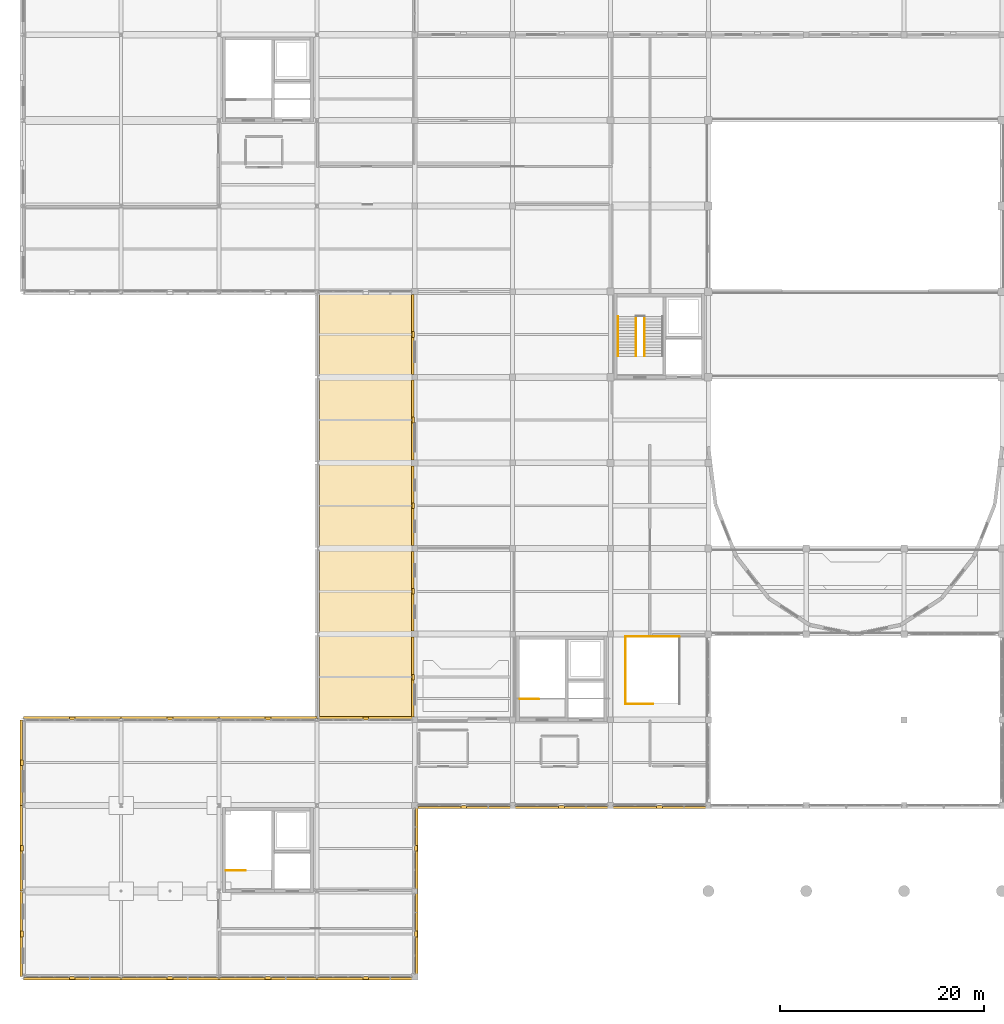
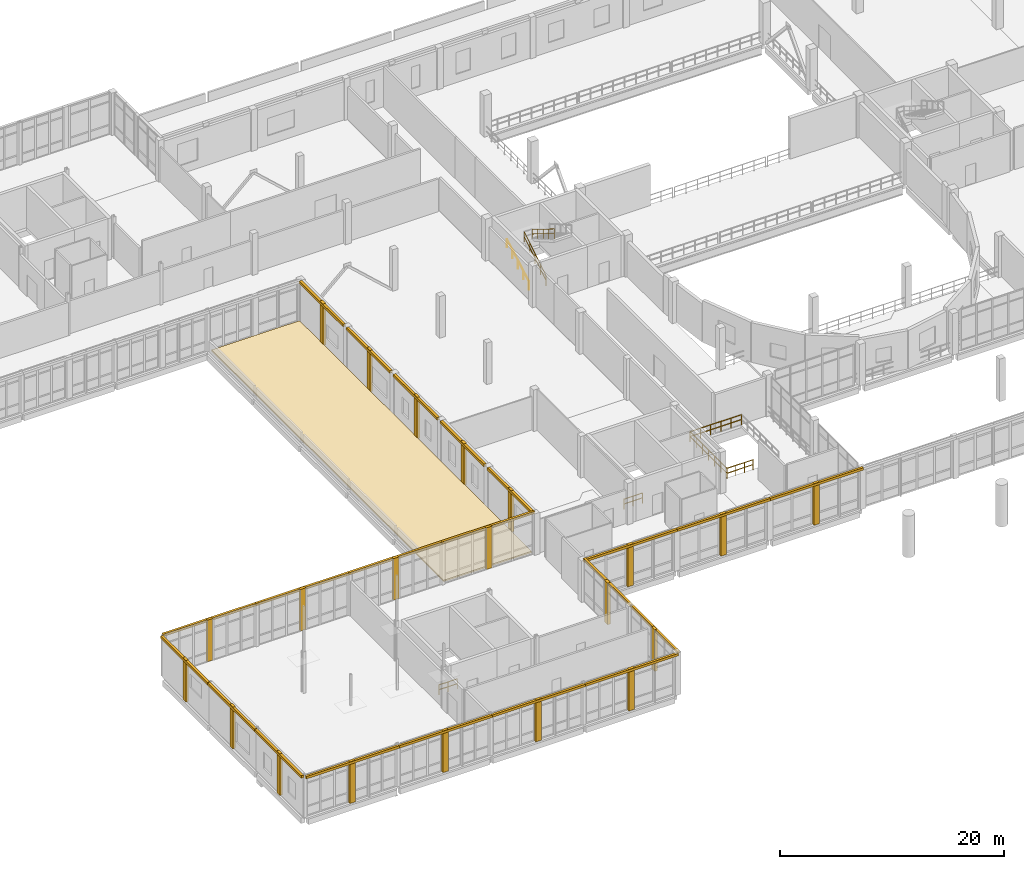
# One storey, part 83 of 88: 43 coverings, 8 railings.
"""IFC4 building model written with IfcOpenShell, lengths in metres."""

from ifc_helpers import new_model, si_unit, direction, frame, origin, origin_2d, place, context, subcontext, project, spatial, polyline, circle, outline, extrude, material, layer, layer_set, type_object, element, save


model = new_model("IFC4")

# Units and contexts
model_context = context("Model", 3, precision=1e-05, world=origin(), true_north=direction((0.0, 1.0)))
body_context = subcontext(model_context, "Body", "Model", "MODEL_VIEW")
ifc_project = project(units=[si_unit("LENGTHUNIT", "METRE"), si_unit("AREAUNIT", "SQUARE_METRE"), si_unit("VOLUMEUNIT", "CUBIC_METRE"), si_unit("PLANEANGLEUNIT", "RADIAN"), si_unit("MASSUNIT", "GRAM", prefix="KILO")], contexts=[model_context])

# Site, building, storey
site_placement = place(None, origin())
site = spatial("IfcSite", under=ifc_project, at=site_placement, CompositionType="ELEMENT")
building_placement = place(site_placement, origin())
building = spatial("IfcBuilding", under=site, at=building_placement, Name="Lornevale Opera House", CompositionType="ELEMENT")
storey_placement = place(building_placement, frame((0.0, 0.0, 10.199951171875)))
storey = spatial("IfcBuildingStorey", under=building, at=storey_placement, Name="L03", CompositionType="ELEMENT", Elevation=10.199951171875)

# Railings
ifc_material_1 = material(Name="Structural Steel CSA G40.21 Grade 350W (350 MPa)", Category="steel")
ifc_layer_1 = layer(ifc_material_1, 0.06005859375)
ifc_layer_set_1 = layer_set([ifc_layer_1], Name="Structural Steel CSA G40.21 Grade 350W (350 MPa)")
railing_type_1 = type_object("IfcRailingType", Name="Atrium Acoustic Balustrade 1120", PredefinedType="BALUSTRADE", material=ifc_layer_set_1)
railing_1_placement = place(storey_placement, frame((59.050048828125, 26.75, 0.0)))
element("IfcRailing", 1, at=railing_1_placement, inside=storey, type_object=railing_type_1, Name="Feature Stair Well Guard L03", PredefinedType="BALUSTRADE", context=body_context, shape_type="SweptSolid", body=[
    extrude(circle(Radius=0.02392578125, at=origin_2d()), frame((0.0, 0.0, 1.09619140625), z_axis=(0.0, 1.0, 0.0), x_axis=(-1.0, 0.0, 0.0)), (0.0, 0.0, 1.0), 6.60009765625),
    extrude(circle(Radius=0.02392578125, at=origin_2d()), frame((0.0, 0.0, 0.56005859375), z_axis=(0.0, 1.0, 0.0), x_axis=(-1.0, 0.0, 0.0)), (0.0, 0.0, 1.0), 6.60009765625),
    extrude(circle(Radius=0.02099609375, at=origin_2d()), origin(), (0.0, 0.0, 1.0), 1.072021484375),
    extrude(circle(Radius=0.02099609375, at=origin_2d()), frame((0.0, 1.10009765625, 0.0)), (0.0, 0.0, 1.0), 1.072021484375),
    extrude(circle(Radius=0.02099609375, at=origin_2d()), frame((0.0, 2.199951171875, 0.0)), (0.0, 0.0, 1.0), 1.072021484375),
    extrude(circle(Radius=0.02099609375, at=origin_2d()), frame((0.0, 3.300048828125, 0.0)), (0.0, 0.0, 1.0), 1.072021484375),
    extrude(circle(Radius=0.02099609375, at=origin_2d()), frame((0.0, 4.400146484375, 0.0)), (0.0, 0.0, 1.0), 1.072021484375),
    extrude(circle(Radius=0.02099609375, at=origin_2d()), frame((0.0, 5.5, 0.0)), (0.0, 0.0, 1.0), 1.072021484375),
    extrude(circle(Radius=0.02099609375, at=origin_2d()), frame((0.0, 6.60009765625, 0.0)), (0.0, 0.0, 1.0), 1.072021484375),
])
railing_2_placement = place(storey_placement, frame((59.050048828125, 33.35009765625, 0.0)))
element("IfcRailing", 2, at=railing_2_placement, inside=storey, type_object=railing_type_1, Name="Feature Stair Well Guard L03", PredefinedType="BALUSTRADE", context=body_context, shape_type="SweptSolid", body=[
    extrude(circle(Radius=0.02392578125, at=origin_2d()), frame((0.0, 0.0, 1.09619140625), z_axis=(1.0, 0.0, 0.0), x_axis=(0.0, 1.0, 0.0)), (0.0, 0.0, 1.0), 5.300048828125),
    extrude(circle(Radius=0.02392578125, at=origin_2d()), frame((0.0, 0.0, 0.56005859375), z_axis=(1.0, 0.0, 0.0), x_axis=(0.0, 1.0, 0.0)), (0.0, 0.0, 1.0), 5.300048828125),
    extrude(circle(Radius=0.02099609375, at=origin_2d()), origin(), (0.0, 0.0, 1.0), 1.072021484375),
    extrude(circle(Radius=0.02099609375, at=origin_2d()), frame((1.06005859375, 0.0, 0.0)), (0.0, 0.0, 1.0), 1.072021484375),
    extrude(circle(Radius=0.02099609375, at=origin_2d()), frame((2.1201171875, 0.0, 0.0)), (0.0, 0.0, 1.0), 1.072021484375),
    extrude(circle(Radius=0.02099609375, at=origin_2d()), frame((3.179931640625, 0.0, 0.0)), (0.0, 0.0, 1.0), 1.072021484375),
    extrude(circle(Radius=0.02099609375, at=origin_2d()), frame((4.239990234375, 0.0, 0.0)), (0.0, 0.0, 1.0), 1.072021484375),
    extrude(circle(Radius=0.02099609375, at=origin_2d()), frame((5.300048828125, 0.0, 0.0)), (0.0, 0.0, 1.0), 1.072021484375),
])
railing_3_placement = place(storey_placement, frame((59.050048828125, 26.75, 0.0)))
element("IfcRailing", 3, at=railing_3_placement, inside=storey, type_object=railing_type_1, Name="Feature Stair L03 South Slot Guard", PredefinedType="BALUSTRADE", context=body_context, shape_type="SweptSolid", body=[
    extrude(circle(Radius=0.02392578125, at=origin_2d()), frame((0.0, 0.0, 1.09619140625), z_axis=(1.0, 0.0, 0.0), x_axis=(0.0, 1.0, 0.0)), (0.0, 0.0, 1.0), 2.699951171875),
    extrude(circle(Radius=0.02392578125, at=origin_2d()), frame((0.0, 0.0, 0.56005859375), z_axis=(1.0, 0.0, 0.0), x_axis=(0.0, 1.0, 0.0)), (0.0, 0.0, 1.0), 2.699951171875),
    extrude(circle(Radius=0.02099609375, at=origin_2d()), origin(), (0.0, 0.0, 1.0), 1.072021484375),
    extrude(circle(Radius=0.02099609375, at=origin_2d()), frame((0.89990234375, 0.0, 0.0)), (0.0, 0.0, 1.0), 1.072021484375),
    extrude(circle(Radius=0.02099609375, at=origin_2d()), frame((1.800048828125, 0.0, 0.0)), (0.0, 0.0, 1.0), 1.072021484375),
    extrude(circle(Radius=0.02099609375, at=origin_2d()), frame((2.699951171875, 0.0, 0.0)), (0.0, 0.0, 1.0), 1.072021484375),
])

# Coverings
ifc_material_2 = material(Name="Vegetated Extensive Green Roof Assembly")
ifc_layer_2 = layer(ifc_material_2, 0.159912109375)
ifc_layer_set_2 = layer_set([ifc_layer_2], Name="Vegetated Extensive Green Roof Assembly")
covering_type_1 = type_object("IfcCoveringType", Name="Chapter 492 Green Roof Covering", PredefinedType="ROOFING", material=ifc_layer_set_2)
covering_1_placement = place(storey_placement, origin())
element("IfcCovering", 4, at=covering_1_placement, inside=storey, type_object=covering_type_1, Name="Chapter 492 Green Roof Covering 0561", PredefinedType="ROOFING", context=body_context, shape_type="SweptSolid", body=[
    extrude(outline(polyline([(29.06005859375, 66.93994140625), (38.139892578125, 66.93994140625), (38.139892578125, 25.4599609375), (29.06005859375, 25.4599609375), (29.06005859375, 66.93994140625)])), origin(), (0.0, 0.0, 1.0), 0.16015625),
])
ifc_material_3 = material(Name="Precast Concrete 40 MPa (CSA A23.1 C-1)", Category="concrete")
ifc_layer_3 = layer(ifc_material_3, 0.260009765625)
ifc_layer_set_3 = layer_set([ifc_layer_3], Name="Precast Concrete 40 MPa (CSA A23.1 C-1)")
covering_type_2 = type_object("IfcCoveringType", Name="Postmodern Sandstone Pilaster Rib", PredefinedType="CLADDING", material=ifc_layer_set_3)
covering_2_placement = place(storey_placement, origin())
element("IfcCovering", 5, at=covering_2_placement, inside=storey, type_object=covering_type_2, Name="Postmodern Sandstone Mullion Pier 0249", PredefinedType="CLADDING", context=body_context, shape_type="SweptSolid", body=[
    extrude(outline(polyline([(5.080078125, 0.0), (4.52001953125, 0.0), (4.52001953125, -0.280029296875), (5.080078125, -0.280029296875), (5.080078125, 0.0)])), origin(), (0.0, 0.0, 1.0), 4.5400390625),
])
covering_3_placement = place(storey_placement, origin())
element("IfcCovering", 6, at=covering_3_placement, inside=storey, type_object=covering_type_2, Name="Postmodern Sandstone Pilaster 0251", PredefinedType="CLADDING", context=body_context, shape_type="SweptSolid", body=[
    extrude(outline(polyline([(0.0, 3.919921875), (0.0, 4.47998046875), (-0.280029296875, 4.47998046875), (-0.280029296875, 3.919921875), (0.0, 3.919921875)])), origin(), (0.0, 0.0, 1.0), 4.5400390625),
])
covering_4_placement = place(storey_placement, origin())
element("IfcCovering", 7, at=covering_4_placement, inside=storey, type_object=covering_type_2, Name="Postmodern Sandstone Pilaster 0253", PredefinedType="CLADDING", context=body_context, shape_type="SweptSolid", body=[
    extrude(outline(polyline([(0.0, 12.320068359375), (0.0, 12.8798828125), (-0.280029296875, 12.8798828125), (-0.280029296875, 12.320068359375), (0.0, 12.320068359375)])), origin(), (0.0, 0.0, 1.0), 4.5400390625),
])
covering_5_placement = place(storey_placement, origin())
element("IfcCovering", 8, at=covering_5_placement, inside=storey, type_object=covering_type_2, Name="Postmodern Sandstone Mullion Pier 0255", PredefinedType="CLADDING", context=body_context, shape_type="SweptSolid", body=[
    extrude(outline(polyline([(4.52001953125, 25.199951171875), (5.080078125, 25.199951171875), (5.080078125, 25.47998046875), (4.52001953125, 25.47998046875), (4.52001953125, 25.199951171875)])), origin(), (0.0, 0.0, 1.0), 4.5400390625),
])
covering_6_placement = place(storey_placement, origin())
element("IfcCovering", 9, at=covering_6_placement, inside=storey, type_object=covering_type_2, Name="Postmodern Sandstone Pilaster 0257", PredefinedType="CLADDING", context=body_context, shape_type="SweptSolid", body=[
    extrude(outline(polyline([(0.0, 20.719970703125), (0.0, 21.280029296875), (-0.280029296875, 21.280029296875), (-0.280029296875, 20.719970703125), (0.0, 20.719970703125)])), origin(), (0.0, 0.0, 1.0), 4.5400390625),
])
covering_7_placement = place(storey_placement, origin())
element("IfcCovering", 10, at=covering_7_placement, inside=storey, type_object=covering_type_2, Name="Postmodern Sandstone Mullion Pier 0271", PredefinedType="CLADDING", context=body_context, shape_type="SweptSolid", body=[
    extrude(outline(polyline([(14.679931640625, 0.0), (14.1201171875, 0.0), (14.1201171875, -0.280029296875), (14.679931640625, -0.280029296875), (14.679931640625, 0.0)])), origin(), (0.0, 0.0, 1.0), 4.5400390625),
])
covering_8_placement = place(storey_placement, origin())
element("IfcCovering", 11, at=covering_8_placement, inside=storey, type_object=covering_type_2, Name="Postmodern Sandstone Mullion Pier 0273", PredefinedType="CLADDING", context=body_context, shape_type="SweptSolid", body=[
    extrude(outline(polyline([(14.1201171875, 25.199951171875), (14.679931640625, 25.199951171875), (14.679931640625, 25.47998046875), (14.1201171875, 25.47998046875), (14.1201171875, 25.199951171875)])), origin(), (0.0, 0.0, 1.0), 4.5400390625),
])
covering_9_placement = place(storey_placement, origin())
element("IfcCovering", 12, at=covering_9_placement, inside=storey, type_object=covering_type_2, Name="Postmodern Sandstone Mullion Pier 0279", PredefinedType="CLADDING", context=body_context, shape_type="SweptSolid", body=[
    extrude(outline(polyline([(24.280029296875, 0.0), (23.719970703125, 0.0), (23.719970703125, -0.280029296875), (24.280029296875, -0.280029296875), (24.280029296875, 0.0)])), origin(), (0.0, 0.0, 1.0), 4.5400390625),
])
covering_10_placement = place(storey_placement, origin())
element("IfcCovering", 13, at=covering_10_placement, inside=storey, type_object=covering_type_2, Name="Postmodern Sandstone Mullion Pier 0281", PredefinedType="CLADDING", context=body_context, shape_type="SweptSolid", body=[
    extrude(outline(polyline([(23.719970703125, 25.199951171875), (24.280029296875, 25.199951171875), (24.280029296875, 25.47998046875), (23.719970703125, 25.47998046875), (23.719970703125, 25.199951171875)])), origin(), (0.0, 0.0, 1.0), 4.5400390625),
])
covering_11_placement = place(storey_placement, origin())
element("IfcCovering", 14, at=covering_11_placement, inside=storey, type_object=covering_type_2, Name="Postmodern Sandstone Mullion Pier 0287", PredefinedType="CLADDING", context=body_context, shape_type="SweptSolid", body=[
    extrude(outline(polyline([(33.8798828125, 0.0), (33.320068359375, 0.0), (33.320068359375, -0.280029296875), (33.8798828125, -0.280029296875), (33.8798828125, 0.0)])), origin(), (0.0, 0.0, 1.0), 4.5400390625),
])
covering_12_placement = place(storey_placement, origin())
element("IfcCovering", 15, at=covering_12_placement, inside=storey, type_object=covering_type_2, Name="Postmodern Sandstone Mullion Pier 0289", PredefinedType="CLADDING", context=body_context, shape_type="SweptSolid", body=[
    extrude(outline(polyline([(38.39990234375, 4.47998046875), (38.39990234375, 3.919921875), (38.679931640625, 3.919921875), (38.679931640625, 4.47998046875), (38.39990234375, 4.47998046875)])), origin(), (0.0, 0.0, 1.0), 4.5400390625),
])
covering_13_placement = place(storey_placement, origin())
element("IfcCovering", 16, at=covering_13_placement, inside=storey, type_object=covering_type_2, Name="Postmodern Sandstone Mullion Pier 0291", PredefinedType="CLADDING", context=body_context, shape_type="SweptSolid", body=[
    extrude(outline(polyline([(38.39990234375, 12.8798828125), (38.39990234375, 12.320068359375), (38.679931640625, 12.320068359375), (38.679931640625, 12.8798828125), (38.39990234375, 12.8798828125)])), origin(), (0.0, 0.0, 1.0), 4.5400390625),
])
covering_14_placement = place(storey_placement, origin())
element("IfcCovering", 17, at=covering_14_placement, inside=storey, type_object=covering_type_2, Name="Postmodern Sandstone Mullion Pier 0293", PredefinedType="CLADDING", context=body_context, shape_type="SweptSolid", body=[
    extrude(outline(polyline([(33.320068359375, 25.199951171875), (33.8798828125, 25.199951171875), (33.8798828125, 25.47998046875), (33.320068359375, 25.47998046875), (33.320068359375, 25.199951171875)])), origin(), (0.0, 0.0, 1.0), 4.5400390625),
])
covering_15_placement = place(storey_placement, origin())
element("IfcCovering", 18, at=covering_15_placement, inside=storey, type_object=covering_type_2, Name="Postmodern Sandstone Mullion Pier 0301", PredefinedType="CLADDING", context=body_context, shape_type="SweptSolid", body=[
    extrude(outline(polyline([(43.47998046875, 16.800048828125), (42.919921875, 16.800048828125), (42.919921875, 16.52001953125), (43.47998046875, 16.52001953125), (43.47998046875, 16.800048828125)])), origin(), (0.0, 0.0, 1.0), 4.5400390625),
])
covering_16_placement = place(storey_placement, origin())
element("IfcCovering", 19, at=covering_16_placement, inside=storey, type_object=covering_type_2, Name="Postmodern Sandstone Pilaster 0303", PredefinedType="CLADDING", context=body_context, shape_type="SweptSolid", body=[
    extrude(outline(polyline([(38.39990234375, 29.10791015625), (38.39990234375, 29.66796875), (38.1201171875, 29.66796875), (38.1201171875, 29.10791015625), (38.39990234375, 29.10791015625)])), origin(), (0.0, 0.0, 1.0), 4.5400390625),
])
covering_17_placement = place(storey_placement, origin())
element("IfcCovering", 20, at=covering_17_placement, inside=storey, type_object=covering_type_2, Name="Postmodern Sandstone Pilaster 0305", PredefinedType="CLADDING", context=body_context, shape_type="SweptSolid", body=[
    extrude(outline(polyline([(38.39990234375, 37.531982421875), (38.39990234375, 38.092041015625), (38.1201171875, 38.092041015625), (38.1201171875, 37.531982421875), (38.39990234375, 37.531982421875)])), origin(), (0.0, 0.0, 1.0), 4.5400390625),
])
covering_18_placement = place(storey_placement, origin())
element("IfcCovering", 21, at=covering_18_placement, inside=storey, type_object=covering_type_2, Name="Postmodern Sandstone Pilaster 0307", PredefinedType="CLADDING", context=body_context, shape_type="SweptSolid", body=[
    extrude(outline(polyline([(38.39990234375, 45.907958984375), (38.39990234375, 46.468017578125), (38.1201171875, 46.468017578125), (38.1201171875, 45.907958984375), (38.39990234375, 45.907958984375)])), origin(), (0.0, 0.0, 1.0), 4.5400390625),
])
covering_19_placement = place(storey_placement, origin())
element("IfcCovering", 22, at=covering_19_placement, inside=storey, type_object=covering_type_2, Name="Postmodern Sandstone Pilaster 0309", PredefinedType="CLADDING", context=body_context, shape_type="SweptSolid", body=[
    extrude(outline(polyline([(38.39990234375, 54.3330078125), (38.39990234375, 54.89306640625), (38.1201171875, 54.89306640625), (38.1201171875, 54.3330078125), (38.39990234375, 54.3330078125)])), origin(), (0.0, 0.0, 1.0), 4.5400390625),
])
covering_20_placement = place(storey_placement, origin())
element("IfcCovering", 23, at=covering_20_placement, inside=storey, type_object=covering_type_2, Name="Postmodern Sandstone Pilaster 0311", PredefinedType="CLADDING", context=body_context, shape_type="SweptSolid", body=[
    extrude(outline(polyline([(38.39990234375, 62.7080078125), (38.39990234375, 63.26806640625), (38.1201171875, 63.26806640625), (38.1201171875, 62.7080078125), (38.39990234375, 62.7080078125)])), origin(), (0.0, 0.0, 1.0), 4.5400390625),
])
covering_21_placement = place(storey_placement, origin())
element("IfcCovering", 24, at=covering_21_placement, inside=storey, type_object=covering_type_2, Name="Postmodern Sandstone Mullion Pier 0315", PredefinedType="CLADDING", context=body_context, shape_type="SweptSolid", body=[
    extrude(outline(polyline([(53.080078125, 16.800048828125), (52.52001953125, 16.800048828125), (52.52001953125, 16.52001953125), (53.080078125, 16.52001953125), (53.080078125, 16.800048828125)])), origin(), (0.0, 0.0, 1.0), 4.5400390625),
])
covering_22_placement = place(storey_placement, origin())
element("IfcCovering", 25, at=covering_22_placement, inside=storey, type_object=covering_type_2, Name="Postmodern Sandstone Mullion Pier 0319", PredefinedType="CLADDING", context=body_context, shape_type="SweptSolid", body=[
    extrude(outline(polyline([(62.679931640625, 16.800048828125), (62.1201171875, 16.800048828125), (62.1201171875, 16.52001953125), (62.679931640625, 16.52001953125), (62.679931640625, 16.800048828125)])), origin(), (0.0, 0.0, 1.0), 4.5400390625),
])
ifc_material_4 = material(Name="Queenston Buff Limestone Ashlar Masonry (25 MPa)", Category="masonry")
ifc_layer_4 = layer(ifc_material_4, 0.1201171875)
ifc_layer_set_4 = layer_set([ifc_layer_4], Name="Queenston Buff Limestone Ashlar Masonry (25 MPa)")
covering_type_3 = type_object("IfcCoveringType", Name="Precast Limestone Cornice Band", PredefinedType="CLADDING", material=ifc_layer_set_4)
covering_23_placement = place(storey_placement, frame((0.0, 0.0, 4.280029296875)))
element("IfcCovering", 26, at=covering_23_placement, inside=storey, type_object=covering_type_3, Name="Precast Limestone Cornice Band 0250", PredefinedType="CLADDING", context=body_context, shape_type="SweptSolid", body=[
    extrude(outline(polyline([(9.60009765625, -0.080078125), (0.0, -0.080078125), (0.0, -0.320068359375), (9.60009765625, -0.320068359375), (9.60009765625, -0.080078125)])), origin(), (0.0, 0.0, 1.0), 0.260009765625),
])
covering_24_placement = place(storey_placement, frame((0.0, 0.0, 4.260009765625)))
element("IfcCovering", 27, at=covering_24_placement, inside=storey, type_object=covering_type_3, Name="Precast Limestone Cornice Band 0252", PredefinedType="CLADDING", context=body_context, shape_type="SweptSolid", body=[
    extrude(outline(polyline([(-0.06005859375, 0.02001953125), (-0.06005859375, 8.3798828125), (-0.320068359375, 8.3798828125), (-0.320068359375, 0.02001953125), (-0.06005859375, 0.02001953125)])), origin(), (0.0, 0.0, 1.0), 0.280029296875),
])
covering_25_placement = place(storey_placement, frame((0.0, 0.0, 4.260009765625)))
element("IfcCovering", 28, at=covering_25_placement, inside=storey, type_object=covering_type_3, Name="Precast Limestone Cornice Band 0254", PredefinedType="CLADDING", context=body_context, shape_type="SweptSolid", body=[
    extrude(outline(polyline([(-0.06005859375, 8.419921875), (-0.06005859375, 16.780029296875), (-0.320068359375, 16.780029296875), (-0.320068359375, 8.419921875), (-0.06005859375, 8.419921875)])), origin(), (0.0, 0.0, 1.0), 0.280029296875),
])
covering_26_placement = place(storey_placement, frame((0.0, 0.0, 4.280029296875)))
element("IfcCovering", 29, at=covering_26_placement, inside=storey, type_object=covering_type_3, Name="Precast Limestone Cornice Band 0256", PredefinedType="CLADDING", context=body_context, shape_type="SweptSolid", body=[
    extrude(outline(polyline([(0.0, 25.280029296875), (9.60009765625, 25.280029296875), (9.60009765625, 25.52001953125), (0.0, 25.52001953125), (0.0, 25.280029296875)])), origin(), (0.0, 0.0, 1.0), 0.260009765625),
])
covering_27_placement = place(storey_placement, frame((0.0, 0.0, 4.260009765625)))
element("IfcCovering", 30, at=covering_27_placement, inside=storey, type_object=covering_type_3, Name="Precast Limestone Cornice Band 0258", PredefinedType="CLADDING", context=body_context, shape_type="SweptSolid", body=[
    extrude(outline(polyline([(-0.06005859375, 16.820068359375), (-0.06005859375, 25.179931640625), (-0.320068359375, 25.179931640625), (-0.320068359375, 16.820068359375), (-0.06005859375, 16.820068359375)])), origin(), (0.0, 0.0, 1.0), 0.280029296875),
])
covering_28_placement = place(storey_placement, frame((0.0, 0.0, 4.280029296875)))
element("IfcCovering", 31, at=covering_28_placement, inside=storey, type_object=covering_type_3, Name="Precast Limestone Cornice Band 0272", PredefinedType="CLADDING", context=body_context, shape_type="SweptSolid", body=[
    extrude(outline(polyline([(19.199951171875, -0.080078125), (9.60009765625, -0.080078125), (9.60009765625, -0.320068359375), (19.199951171875, -0.320068359375), (19.199951171875, -0.080078125)])), origin(), (0.0, 0.0, 1.0), 0.260009765625),
])
covering_29_placement = place(storey_placement, frame((0.0, 0.0, 4.280029296875)))
element("IfcCovering", 32, at=covering_29_placement, inside=storey, type_object=covering_type_3, Name="Precast Limestone Cornice Band 0274", PredefinedType="CLADDING", context=body_context, shape_type="SweptSolid", body=[
    extrude(outline(polyline([(9.60009765625, 25.280029296875), (19.199951171875, 25.280029296875), (19.199951171875, 25.52001953125), (9.60009765625, 25.52001953125), (9.60009765625, 25.280029296875)])), origin(), (0.0, 0.0, 1.0), 0.260009765625),
])
covering_30_placement = place(storey_placement, frame((0.0, 0.0, 4.280029296875)))
element("IfcCovering", 33, at=covering_30_placement, inside=storey, type_object=covering_type_3, Name="Precast Limestone Cornice Band 0280", PredefinedType="CLADDING", context=body_context, shape_type="SweptSolid", body=[
    extrude(outline(polyline([(28.800048828125, -0.080078125), (19.199951171875, -0.080078125), (19.199951171875, -0.320068359375), (28.800048828125, -0.320068359375), (28.800048828125, -0.080078125)])), origin(), (0.0, 0.0, 1.0), 0.260009765625),
])
covering_31_placement = place(storey_placement, frame((0.0, 0.0, 4.280029296875)))
element("IfcCovering", 34, at=covering_31_placement, inside=storey, type_object=covering_type_3, Name="Precast Limestone Cornice Band 0282", PredefinedType="CLADDING", context=body_context, shape_type="SweptSolid", body=[
    extrude(outline(polyline([(19.199951171875, 25.280029296875), (28.800048828125, 25.280029296875), (28.800048828125, 25.52001953125), (19.199951171875, 25.52001953125), (19.199951171875, 25.280029296875)])), origin(), (0.0, 0.0, 1.0), 0.260009765625),
])
covering_32_placement = place(storey_placement, frame((0.0, 0.0, 4.280029296875)))
element("IfcCovering", 35, at=covering_32_placement, inside=storey, type_object=covering_type_3, Name="Precast Limestone Cornice Band 0288", PredefinedType="CLADDING", context=body_context, shape_type="SweptSolid", body=[
    extrude(outline(polyline([(38.39990234375, -0.080078125), (28.800048828125, -0.080078125), (28.800048828125, -0.320068359375), (38.39990234375, -0.320068359375), (38.39990234375, -0.080078125)])), origin(), (0.0, 0.0, 1.0), 0.260009765625),
])
covering_33_placement = place(storey_placement, frame((0.0, 0.0, 4.280029296875)))
element("IfcCovering", 36, at=covering_33_placement, inside=storey, type_object=covering_type_3, Name="Precast Limestone Cornice Band 0290", PredefinedType="CLADDING", context=body_context, shape_type="SweptSolid", body=[
    extrude(outline(polyline([(38.47998046875, 8.39990234375), (38.47998046875, 0.0), (38.719970703125, 0.0), (38.719970703125, 8.39990234375), (38.47998046875, 8.39990234375)])), origin(), (0.0, 0.0, 1.0), 0.260009765625),
])
covering_34_placement = place(storey_placement, frame((0.0, 0.0, 4.280029296875)))
element("IfcCovering", 37, at=covering_34_placement, inside=storey, type_object=covering_type_3, Name="Precast Limestone Cornice Band 0292", PredefinedType="CLADDING", context=body_context, shape_type="SweptSolid", body=[
    extrude(outline(polyline([(38.47998046875, 16.800048828125), (38.47998046875, 8.39990234375), (38.719970703125, 8.39990234375), (38.719970703125, 16.800048828125), (38.47998046875, 16.800048828125)])), origin(), (0.0, 0.0, 1.0), 0.260009765625),
])
covering_35_placement = place(storey_placement, frame((0.0, 0.0, 4.280029296875)))
element("IfcCovering", 38, at=covering_35_placement, inside=storey, type_object=covering_type_3, Name="Precast Limestone Cornice Band 0294", PredefinedType="CLADDING", context=body_context, shape_type="SweptSolid", body=[
    extrude(outline(polyline([(28.800048828125, 25.280029296875), (38.39990234375, 25.280029296875), (38.39990234375, 25.52001953125), (28.800048828125, 25.52001953125), (28.800048828125, 25.280029296875)])), origin(), (0.0, 0.0, 1.0), 0.260009765625),
])
covering_36_placement = place(storey_placement, frame((0.0, 0.0, 4.280029296875)))
element("IfcCovering", 39, at=covering_36_placement, inside=storey, type_object=covering_type_3, Name="Precast Limestone Cornice Band 0302", PredefinedType="CLADDING", context=body_context, shape_type="SweptSolid", body=[
    extrude(outline(polyline([(48.0, 16.719970703125), (38.39990234375, 16.719970703125), (38.39990234375, 16.47998046875), (48.0, 16.47998046875), (48.0, 16.719970703125)])), origin(), (0.0, 0.0, 1.0), 0.260009765625),
])
covering_37_placement = place(storey_placement, frame((0.0, 0.0, 4.260009765625)))
element("IfcCovering", 40, at=covering_37_placement, inside=storey, type_object=covering_type_3, Name="Precast Limestone Cornice Band 0304", PredefinedType="CLADDING", context=body_context, shape_type="SweptSolid", body=[
    extrude(outline(polyline([(38.340087890625, 25.47509765625), (38.340087890625, 33.300048828125), (38.080078125, 33.300048828125), (38.080078125, 25.47509765625), (38.340087890625, 25.47509765625)])), origin(), (0.0, 0.0, 1.0), 0.280029296875),
])
covering_38_placement = place(storey_placement, frame((0.0, 0.0, 4.260009765625)))
element("IfcCovering", 41, at=covering_38_placement, inside=storey, type_object=covering_type_3, Name="Precast Limestone Cornice Band 0306", PredefinedType="CLADDING", context=body_context, shape_type="SweptSolid", body=[
    extrude(outline(polyline([(38.340087890625, 33.89990234375), (38.340087890625, 41.72509765625), (38.080078125, 41.72509765625), (38.080078125, 33.89990234375), (38.340087890625, 33.89990234375)])), origin(), (0.0, 0.0, 1.0), 0.280029296875),
])
covering_39_placement = place(storey_placement, frame((0.0, 0.0, 4.260009765625)))
element("IfcCovering", 42, at=covering_39_placement, inside=storey, type_object=covering_type_3, Name="Precast Limestone Cornice Band 0308", PredefinedType="CLADDING", context=body_context, shape_type="SweptSolid", body=[
    extrude(outline(polyline([(38.340087890625, 42.27490234375), (38.340087890625, 50.10009765625), (38.080078125, 50.10009765625), (38.080078125, 42.27490234375), (38.340087890625, 42.27490234375)])), origin(), (0.0, 0.0, 1.0), 0.280029296875),
])
covering_40_placement = place(storey_placement, frame((0.0, 0.0, 4.260009765625)))
element("IfcCovering", 43, at=covering_40_placement, inside=storey, type_object=covering_type_3, Name="Precast Limestone Cornice Band 0310", PredefinedType="CLADDING", context=body_context, shape_type="SweptSolid", body=[
    extrude(outline(polyline([(38.340087890625, 50.699951171875), (38.340087890625, 58.52490234375), (38.080078125, 58.52490234375), (38.080078125, 50.699951171875), (38.340087890625, 50.699951171875)])), origin(), (0.0, 0.0, 1.0), 0.280029296875),
])
covering_41_placement = place(storey_placement, frame((0.0, 0.0, 4.260009765625)))
element("IfcCovering", 44, at=covering_41_placement, inside=storey, type_object=covering_type_3, Name="Precast Limestone Cornice Band 0312", PredefinedType="CLADDING", context=body_context, shape_type="SweptSolid", body=[
    extrude(outline(polyline([(38.340087890625, 59.074951171875), (38.340087890625, 66.89990234375), (38.080078125, 66.89990234375), (38.080078125, 59.074951171875), (38.340087890625, 59.074951171875)])), origin(), (0.0, 0.0, 1.0), 0.280029296875),
])
covering_42_placement = place(storey_placement, frame((0.0, 0.0, 4.280029296875)))
element("IfcCovering", 45, at=covering_42_placement, inside=storey, type_object=covering_type_3, Name="Precast Limestone Cornice Band 0316", PredefinedType="CLADDING", context=body_context, shape_type="SweptSolid", body=[
    extrude(outline(polyline([(57.60009765625, 16.719970703125), (48.0, 16.719970703125), (48.0, 16.47998046875), (57.60009765625, 16.47998046875), (57.60009765625, 16.719970703125)])), origin(), (0.0, 0.0, 1.0), 0.260009765625),
])
covering_43_placement = place(storey_placement, frame((0.0, 0.0, 4.280029296875)))
element("IfcCovering", 46, at=covering_43_placement, inside=storey, type_object=covering_type_3, Name="Precast Limestone Cornice Band 0320", PredefinedType="CLADDING", context=body_context, shape_type="SweptSolid", body=[
    extrude(outline(polyline([(67.199951171875, 16.719970703125), (57.60009765625, 16.719970703125), (57.60009765625, 16.47998046875), (67.199951171875, 16.47998046875), (67.199951171875, 16.719970703125)])), origin(), (0.0, 0.0, 1.0), 0.260009765625),
])

# Railings
ifc_layer_5 = layer(ifc_material_1, 0.050048828125)
ifc_layer_set_5 = layer_set([ifc_layer_5], Name="Structural Steel CSA G40.21 Grade 350W (350 MPa)")
railing_type_2 = type_object("IfcRailingType", Name="Stair Well Guardrail 1100", PredefinedType="GUARDRAIL", material=ifc_layer_set_5)
for number, where, name in (
    (47, (48.699951171875, 27.219970703125, 0.0), "ST-04 Top Floor Well Guard"),
    (48, (19.89990234375, 10.419921875, 0.0), "ST-11 Top Floor Well Guard"),
):
    element("IfcRailing", number, at=place(storey_placement, frame(where)), inside=storey, type_object=railing_type_2, Name=name, PredefinedType="GUARDRAIL", context=body_context, shape_type="SweptSolid", body=[
        extrude(circle(Radius=0.02392578125, at=origin_2d()), frame((0.0, 0.0, 1.076171875), z_axis=(1.0, 0.0, 0.0), x_axis=(0.0, 1.0, 0.0)), (0.0, 0.0, 1.0), 1.880126953125),
        extrude(circle(Radius=0.02392578125, at=origin_2d()), frame((0.0, 0.0, 0.550048828125), z_axis=(1.0, 0.0, 0.0), x_axis=(0.0, 1.0, 0.0)), (0.0, 0.0, 1.0), 1.880126953125),
        extrude(circle(Radius=0.02099609375, at=origin_2d()), origin(), (0.0, 0.0, 1.0), 1.052001953125),
        extrude(circle(Radius=0.02099609375, at=origin_2d()), frame((0.93994140625, 0.0, 0.0)), (0.0, 0.0, 1.0), 1.052001953125),
        extrude(circle(Radius=0.02099609375, at=origin_2d()), frame((1.880126953125, 0.0, 0.0)), (0.0, 0.0, 1.0), 1.052001953125),
    ])
railing_4_placement = place(storey_placement, frame((60.080078125, 60.860107421875, 0.0)))
element("IfcRailing", 49, at=railing_4_placement, inside=storey, type_object=railing_type_2, Name="ST-18 Inner Well Guard F1", PredefinedType="GUARDRAIL", context=body_context, shape_type="SweptSolid", body=[
    extrude(circle(Radius=0.02392578125, at=origin_2d()), frame((0.0, 0.0, 1.076171875), z_axis=(0.0, 0.852832477147, 0.522184609045), x_axis=(-1.0, 0.0, 0.0)), (0.0, 0.0, 1.0), 4.596435546875),
    extrude(circle(Radius=0.02392578125, at=origin_2d()), frame((0.0, 0.0, 0.550048828125), z_axis=(0.0, 0.852832477147, 0.522184609045), x_axis=(-1.0, 0.0, 0.0)), (0.0, 0.0, 1.0), 4.596435546875),
    extrude(circle(Radius=0.02099609375, at=origin_2d()), origin(), (0.0, 0.0, 1.0), 1.052001953125),
    extrude(circle(Radius=0.02099609375, at=origin_2d()), frame((0.0, 0.97998046875, 0.60009765625)), (0.0, 0.0, 1.0), 1.052001953125),
    extrude(circle(Radius=0.02099609375, at=origin_2d()), frame((0.0, 1.9599609375, 1.2001953125)), (0.0, 0.0, 1.0), 1.052001953125),
    extrude(circle(Radius=0.02099609375, at=origin_2d()), frame((0.0, 2.93994140625, 1.800048828125)), (0.0, 0.0, 1.0), 1.052001953125),
    extrude(circle(Radius=0.02099609375, at=origin_2d()), frame((0.0, 3.919921875, 2.400146484375)), (0.0, 0.0, 1.0), 1.052001953125),
])
railing_5_placement = place(storey_placement, frame((60.919921875, 64.780029296875, 2.400146484375)))
element("IfcRailing", 50, at=railing_5_placement, inside=storey, type_object=railing_type_2, Name="ST-18 Inner Well Guard F2", PredefinedType="GUARDRAIL", context=body_context, shape_type="SweptSolid", body=[
    extrude(circle(Radius=0.02392578125, at=origin_2d()), frame((0.0, 0.0, 1.076171875), z_axis=(0.0, -0.852856131449, 0.522145974847), x_axis=(1.0, 0.0, 0.0)), (0.0, 0.0, 1.0), 4.59619140625),
    extrude(circle(Radius=0.02392578125, at=origin_2d()), frame((0.0, 0.0, 0.550048828125), z_axis=(0.0, -0.852856131449, 0.522145974847), x_axis=(1.0, 0.0, 0.0)), (0.0, 0.0, 1.0), 4.59619140625),
    extrude(circle(Radius=0.02099609375, at=origin_2d()), origin(), (0.0, 0.0, 1.0), 1.052001953125),
    extrude(circle(Radius=0.02099609375, at=origin_2d()), frame((0.0, -0.97998046875, 0.60009765625)), (0.0, 0.0, 1.0), 1.052001953125),
    extrude(circle(Radius=0.02099609375, at=origin_2d()), frame((0.0, -1.9599609375, 1.199951171875)), (0.0, 0.0, 1.0), 1.052001953125),
    extrude(circle(Radius=0.02099609375, at=origin_2d()), frame((0.0, -2.93994140625, 1.7998046875)), (0.0, 0.0, 1.0), 1.052001953125),
    extrude(circle(Radius=0.02099609375, at=origin_2d()), frame((0.0, -3.919921875, 2.39990234375)), (0.0, 0.0, 1.0), 1.052001953125),
])
ifc_layer_6 = layer(ifc_material_1, 0.048095703125)
ifc_layer_set_6 = layer_set([ifc_layer_6], Name="Structural Steel CSA G40.21 Grade 350W (350 MPa)")
railing_type_3 = type_object("IfcRailingType", Name="Tubular Stair Handrail 915", PredefinedType="HANDRAIL", material=ifc_layer_set_6)
railing_6_placement = place(storey_placement, frame((58.320068359375, 60.860107421875, 0.1630859375)))
element("IfcRailing", 51, at=railing_6_placement, inside=storey, type_object=railing_type_3, Name="ST-18 Outer Handrail F1", PredefinedType="HANDRAIL", context=body_context, shape_type="SweptSolid", body=[
    extrude(circle(Radius=0.02392578125, at=origin_2d()), frame((0.0, 0.0, 0.89111328125), z_axis=(0.0, 0.868239814368, 0.496144761885), x_axis=(-1.0, 0.0, 0.0)), (0.0, 0.0, 1.0), 4.514892578125),
    extrude(circle(Radius=0.02099609375, at=origin_2d()), origin(), (0.0, 0.0, 1.0), 0.866943359375),
    extrude(circle(Radius=0.02099609375, at=origin_2d()), frame((0.0, 0.97998046875, 0.56005859375)), (0.0, 0.0, 1.0), 0.866943359375),
    extrude(circle(Radius=0.02099609375, at=origin_2d()), frame((0.0, 1.9599609375, 1.1201171875)), (0.0, 0.0, 1.0), 0.866943359375),
    extrude(circle(Radius=0.02099609375, at=origin_2d()), frame((0.0, 2.93994140625, 1.679931640625)), (0.0, 0.0, 1.0), 0.866943359375),
    extrude(circle(Radius=0.02099609375, at=origin_2d()), frame((0.0, 3.919921875, 2.239990234375)), (0.0, 0.0, 1.0), 0.866943359375),
])

save(model, "model.ifc")
